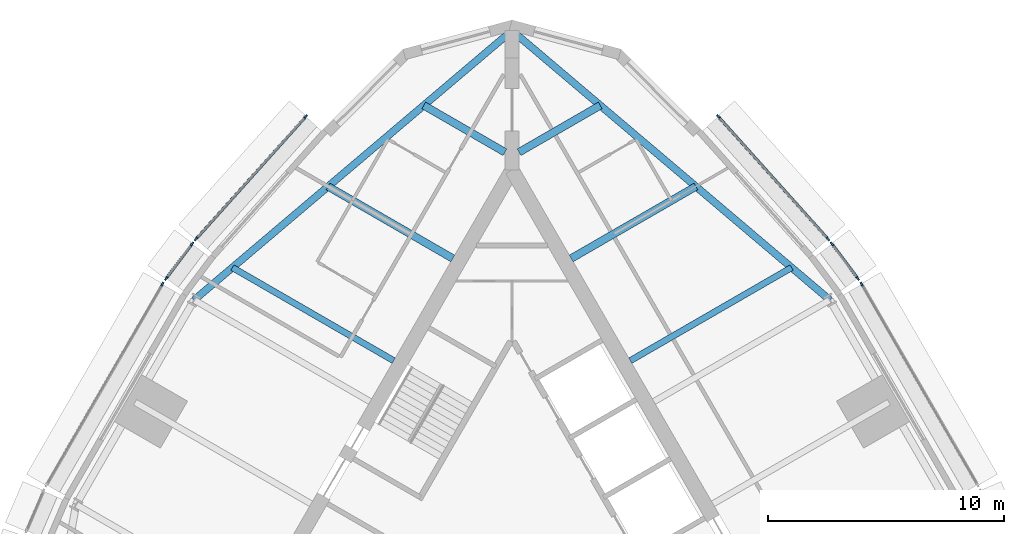
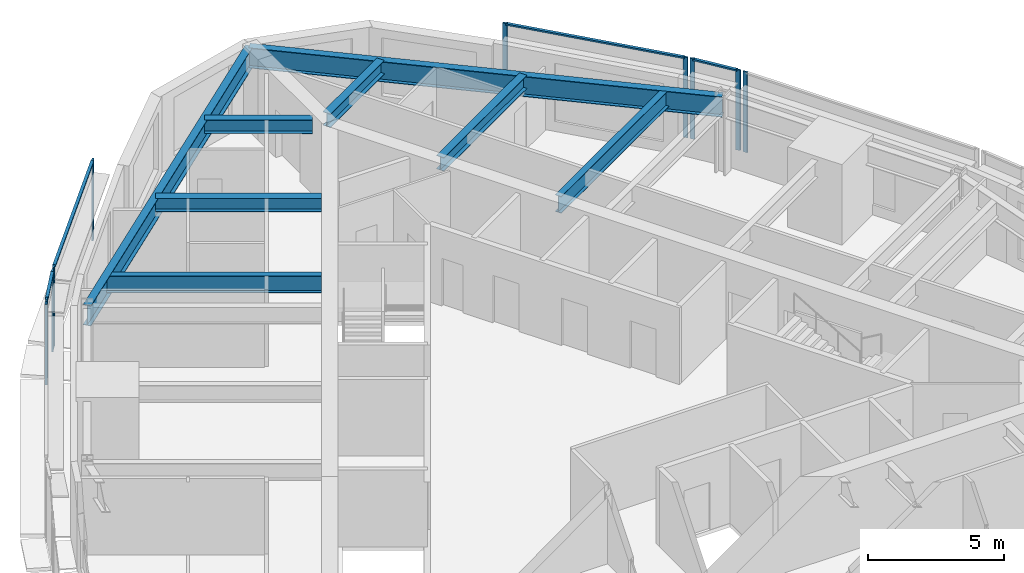
# One storey, part 5 of 12: 14 members, 8 beams, 6 elements without a shape of their own.
"""IFC4 building model written with IfcOpenShell, lengths in metres."""

from ifc_helpers import new_model, si_unit, direction, frame, origin, origin_2d, place, context, subcontext, project, spatial, rectangle, i_section, extrude, material, material_profile, profile_set, type_object, element, aggregate, save


model = new_model("IFC4")

# Units and contexts
model_context = context("Model", 3, precision=1e-05, world=origin(), true_north=direction((0.0, 1.0)))
body_context = subcontext(model_context, "Body", "Model", "MODEL_VIEW")
ifc_project = project(units=[si_unit("LENGTHUNIT", "METRE"), si_unit("AREAUNIT", "SQUARE_METRE"), si_unit("VOLUMEUNIT", "CUBIC_METRE"), si_unit("PLANEANGLEUNIT", "RADIAN"), si_unit("MASSUNIT", "GRAM", prefix="KILO")], contexts=[model_context])

# Site, building, storey
site_placement = place(None, origin())
site = spatial("IfcSite", under=ifc_project, at=site_placement, CompositionType="ELEMENT")
building_placement = place(site_placement, origin())
building = spatial("IfcBuilding", under=site, at=building_placement, Name="Trikona Tower", CompositionType="ELEMENT")
storey_placement = place(building_placement, frame((0.0, 0.0, 268.10009765625)))
storey = spatial("IfcBuildingStorey", under=building, at=storey_placement, Name="L71", CompositionType="ELEMENT", Elevation=268.10009765625)

# Curtain wall, member
ifc_material_1 = material(Name="Aluminium curtain wall system", Category="aluminium")
curtain_wall_type = type_object("IfcCurtainWallType", Name="Curtain wall DS3", PredefinedType="NOTDEFINED", material=ifc_material_1)
curtain_wall_1_placement = place(storey_placement, origin())
curtain_wall_1 = element("IfcCurtainWall", 1, at=curtain_wall_1_placement, inside=storey, type_object=curtain_wall_type, Name="Curtain wall DS3 L71", PredefinedType="NOTDEFINED")
ifc_material_2 = material(Name="Aluminium mullion, pale anodised", Category="aluminium")
ifc_material_profile_1 = material_profile(ifc_material_2, rectangle(XDim=0.070068359375, YDim=0.179931640625, at=origin_2d()), Name="MUL-DS3")
ifc_profile_set_1 = profile_set([ifc_material_profile_1], Name="Aluminium mullion, pale anodised")
member_type_1 = type_object("IfcMemberType", Name="Mullion DS3 70x180", PredefinedType="MULLION", material=ifc_profile_set_1)
member_1_placement = place(storey_placement, frame((14.807861328125, 14.213134765625, 0.0), z_axis=(0.0, 0.0, 1.0), x_axis=(-0.866024619633, -0.500001358187, 0.0)))
member_1 = element("IfcMember", 2, at=member_1_placement, type_object=member_type_1, Name="CW-DS3 mullion 2", PredefinedType="MULLION", context=body_context, shape_type="SweptSolid", body=[
    extrude(rectangle(XDim=0.070068359375, YDim=0.179931640625, at=origin_2d()), origin(), (0.0, 0.0, 1.0), 3.599853515625),
])
aggregate(curtain_wall_1, [member_1])

# Curtain wall, members
curtain_wall_2_placement = place(storey_placement, origin())
curtain_wall_2 = element("IfcCurtainWall", 3, at=curtain_wall_2_placement, inside=storey, type_object=curtain_wall_type, Name="Curtain wall DS3 L71", PredefinedType="NOTDEFINED")
member_2_placement = place(storey_placement, frame((14.644287109375, 14.461181640625, 0.0), z_axis=(0.0, 0.0, 1.0), x_axis=(-0.800259657055, -0.599653634435, 0.0)))
member_2 = element("IfcMember", 4, at=member_2_placement, type_object=member_type_1, Name="CW-DS3 mullion 1", PredefinedType="MULLION", context=body_context, shape_type="SweptSolid", body=[
    extrude(rectangle(XDim=0.070068359375, YDim=0.179931640625, at=origin_2d()), origin(), (0.0, 0.0, 1.0), 3.599853515625),
])
member_3_placement = place(storey_placement, frame((13.55029296875, 15.9208984375, 0.0), z_axis=(0.0, 0.0, 1.0), x_axis=(-0.800259657055, -0.599653634435, 0.0)))
member_3 = element("IfcMember", 5, at=member_3_placement, type_object=member_type_1, Name="CW-DS3 mullion 2", PredefinedType="MULLION", context=body_context, shape_type="SweptSolid", body=[
    extrude(rectangle(XDim=0.070068359375, YDim=0.179931640625, at=origin_2d()), origin(), (0.0, 0.0, 1.0), 3.599853515625),
])

curtain_wall_3_placement = place(storey_placement, origin())
curtain_wall_3 = element("IfcCurtainWall", 6, at=curtain_wall_3_placement, inside=storey, type_object=curtain_wall_type, Name="Curtain wall DS3 L71", PredefinedType="NOTDEFINED")
member_4_placement = place(storey_placement, frame((13.380126953125, 16.128662109375, 0.0), z_axis=(0.0, 0.0, 1.0), x_axis=(-0.744771436797, -0.667319643748, 0.0)))
member_4 = element("IfcMember", 7, at=member_4_placement, type_object=member_type_1, Name="CW-DS3 mullion 1", PredefinedType="MULLION", context=body_context, shape_type="SweptSolid", body=[
    extrude(rectangle(XDim=0.070068359375, YDim=0.179931640625, at=origin_2d()), origin(), (0.0, 0.0, 1.0), 3.599853515625),
])
member_5_placement = place(storey_placement, frame((8.733642578125, 21.314453125, 0.0), z_axis=(0.0, 0.0, 1.0), x_axis=(-0.744771436797, -0.667319643748, 0.0)))
member_5 = element("IfcMember", 8, at=member_5_placement, type_object=member_type_1, Name="CW-DS3 mullion 2", PredefinedType="MULLION", context=body_context, shape_type="SweptSolid", body=[
    extrude(rectangle(XDim=0.070068359375, YDim=0.179931640625, at=origin_2d()), origin(), (0.0, 0.0, 1.0), 3.599853515625),
])

curtain_wall_4_placement = place(storey_placement, origin())
curtain_wall_4 = element("IfcCurtainWall", 9, at=curtain_wall_4_placement, inside=storey, type_object=curtain_wall_type, Name="Curtain wall DS3 L71", PredefinedType="NOTDEFINED")
member_6_placement = place(storey_placement, frame((-8.733642578125, 21.314453125, 0.0), z_axis=(0.0, 0.0, 1.0), x_axis=(0.744771436797, -0.667319643748, 0.0)))
member_6 = element("IfcMember", 10, at=member_6_placement, type_object=member_type_1, Name="CW-DS3 mullion 1", PredefinedType="MULLION", context=body_context, shape_type="SweptSolid", body=[
    extrude(rectangle(XDim=0.070068359375, YDim=0.179931640625, at=origin_2d()), origin(), (0.0, 0.0, 1.0), 3.599853515625),
])
member_7_placement = place(storey_placement, frame((-13.380126953125, 16.128662109375, 0.0), z_axis=(0.0, 0.0, 1.0), x_axis=(0.744771436797, -0.667319643748, 0.0)))
member_7 = element("IfcMember", 11, at=member_7_placement, type_object=member_type_1, Name="CW-DS3 mullion 2", PredefinedType="MULLION", context=body_context, shape_type="SweptSolid", body=[
    extrude(rectangle(XDim=0.070068359375, YDim=0.179931640625, at=origin_2d()), origin(), (0.0, 0.0, 1.0), 3.599853515625),
])

curtain_wall_5_placement = place(storey_placement, origin())
curtain_wall_5 = element("IfcCurtainWall", 12, at=curtain_wall_5_placement, inside=storey, type_object=curtain_wall_type, Name="Curtain wall DS3 L71", PredefinedType="NOTDEFINED")
member_8_placement = place(storey_placement, frame((-13.55029296875, 15.9208984375, 0.0), z_axis=(0.0, 0.0, 1.0), x_axis=(0.800259657055, -0.599653634435, 0.0)))
member_8 = element("IfcMember", 13, at=member_8_placement, type_object=member_type_1, Name="CW-DS3 mullion 1", PredefinedType="MULLION", context=body_context, shape_type="SweptSolid", body=[
    extrude(rectangle(XDim=0.070068359375, YDim=0.179931640625, at=origin_2d()), origin(), (0.0, 0.0, 1.0), 3.599853515625),
])
member_9_placement = place(storey_placement, frame((-14.644287109375, 14.461181640625, 0.0), z_axis=(0.0, 0.0, 1.0), x_axis=(0.800259657055, -0.599653634435, 0.0)))
member_9 = element("IfcMember", 14, at=member_9_placement, type_object=member_type_1, Name="CW-DS3 mullion 2", PredefinedType="MULLION", context=body_context, shape_type="SweptSolid", body=[
    extrude(rectangle(XDim=0.070068359375, YDim=0.179931640625, at=origin_2d()), origin(), (0.0, 0.0, 1.0), 3.599853515625),
])

# Curtain wall, member
curtain_wall_6_placement = place(storey_placement, origin())
curtain_wall_6 = element("IfcCurtainWall", 15, at=curtain_wall_6_placement, inside=storey, type_object=curtain_wall_type, Name="Curtain wall DS3 L71", PredefinedType="NOTDEFINED")
member_10_placement = place(storey_placement, frame((-14.807861328125, 14.213134765625, 0.0), z_axis=(0.0, 0.0, 1.0), x_axis=(0.866024619633, -0.500001358187, 0.0)))
member_10 = element("IfcMember", 16, at=member_10_placement, type_object=member_type_1, Name="CW-DS3 mullion 1", PredefinedType="MULLION", context=body_context, shape_type="SweptSolid", body=[
    extrude(rectangle(XDim=0.070068359375, YDim=0.179931640625, at=origin_2d()), origin(), (0.0, 0.0, 1.0), 3.599853515625),
])
aggregate(curtain_wall_6, [member_10])

# Beams
ifc_material_3 = material(Name="Steel ASTM A992 Grade 50", Category="steel")
ifc_material_profile_2 = material_profile(ifc_material_3, i_section(OverallWidth=0.3251953125, OverallDepth=0.612060546875, WebThickness=0.0126953125, FlangeThickness=0.01904296875, at=origin_2d()), Name="W24X104")
ifc_profile_set_2 = profile_set([ifc_material_profile_2], Name="Steel ASTM A992 Grade 50")
beam_type_1 = type_object("IfcBeamType", Name="Steel beam W24x104 (wedge upper)", PredefinedType="BEAM", material=ifc_profile_set_2)
beam_1_placement = place(storey_placement, frame((2.509765625, 15.305419921875, 3.12890625), z_axis=(0.866023498866, 0.500003299401, 0.0), x_axis=(-0.500003299401, 0.866023498866, 0.0)))
element("IfcBeam", 17, at=beam_1_placement, inside=storey, type_object=beam_type_1, Name="Floor beam L72 F2 u12", PredefinedType="BEAM", context=body_context, shape_type="SweptSolid", body=[
    extrude(i_section(OverallWidth=0.3251953125, OverallDepth=0.612060546875, WebThickness=0.0126953125, FlangeThickness=0.01904296875, at=origin_2d()), origin(), (0.0, 0.0, 1.0), 6.09521484375),
])
for number, where, z_axis, x_axis, name in (
    (18, (0.300048828125, 19.802978515625, 3.12890625), (0.866004223388, 0.500036683728, 0.0), (-0.500036683728, 0.866004223388, 0.0), "Floor beam L72 F2 u17"),
    (19, (-0.300048828125, 19.802978515625, 3.12890625), (-0.866004223388, 0.500036683728, 0.0), (-0.500036683728, -0.866004223388, 0.0), "Floor beam L72 F3 u-17"),
):
    element("IfcBeam", number, at=place(storey_placement, frame(where, z_axis=z_axis, x_axis=x_axis)), inside=storey, type_object=beam_type_1, Name=name, PredefinedType="BEAM", context=body_context, shape_type="SweptSolid", body=[
        extrude(i_section(OverallWidth=0.3251953125, OverallDepth=0.612060546875, WebThickness=0.0126953125, FlangeThickness=0.01904296875, at=origin_2d()), origin(), (0.0, 0.0, 1.0), 3.968017578125),
    ])
beam_2_placement = place(storey_placement, frame((-2.509765625, 15.305419921875, 3.12890625), z_axis=(-0.866023498866, 0.500003299401, 0.0), x_axis=(-0.500003299401, -0.866023498866, 0.0)))
element("IfcBeam", 20, at=beam_2_placement, inside=storey, type_object=beam_type_1, Name="Floor beam L72 F3 u-12", PredefinedType="BEAM", context=body_context, shape_type="SweptSolid", body=[
    extrude(i_section(OverallWidth=0.3251953125, OverallDepth=0.612060546875, WebThickness=0.0126953125, FlangeThickness=0.01904296875, at=origin_2d()), origin(), (0.0, 0.0, 1.0), 6.09521484375),
])
ifc_material_4 = material(Name="Steel ASTM A992 Grade 50", Category="steel")
ifc_material_profile_3 = material_profile(ifc_material_4, i_section(OverallWidth=0.2666015625, OverallDepth=0.7568359375, WebThickness=0.013916015625, FlangeThickness=0.019287109375, at=origin_2d()), Name="W30X108")
ifc_profile_set_3 = profile_set([ifc_material_profile_3], Name="Steel ASTM A992 Grade 50")
beam_type_2 = type_object("IfcBeamType", Name="Steel beam W30x108 (radial upper)", PredefinedType="BEAM", material=ifc_profile_set_3)
for number, where, z_axis, x_axis, name in (
    (21, (5.009765625, 10.975341796875, 3.056396484375), (0.866034560358, 0.499984140014, 0.0), (-0.499984140014, 0.866034560358, 0.0), "Floor beam L72 F2 u7"),
    (22, (-5.009765625, 10.975341796875, 3.056396484375), (-0.866034560358, 0.499984140014, 0.0), (-0.499984140014, -0.866034560358, 0.0), "Floor beam L72 F3 u-7"),
):
    element("IfcBeam", number, at=place(storey_placement, frame(where, z_axis=z_axis, x_axis=x_axis)), inside=storey, type_object=beam_type_2, Name=name, PredefinedType="BEAM", context=body_context, shape_type="SweptSolid", body=[
        extrude(i_section(OverallWidth=0.2666015625, OverallDepth=0.7568359375, WebThickness=0.013916015625, FlangeThickness=0.019287109375, at=origin_2d()), origin(), (0.0, 0.0, 1.0), 7.887451171875),
    ])
ifc_material_5 = material(Name="Steel ASTM A992 Grade 50", Category="steel")
ifc_material_profile_4 = material_profile(ifc_material_5, i_section(OverallWidth=0.3046875, OverallDepth=0.911865234375, WebThickness=0.015869140625, FlangeThickness=0.02392578125, at=origin_2d()), Name="W36X150")
ifc_profile_set_4 = profile_set([ifc_material_profile_4], Name="Steel ASTM A992 Grade 50")
beam_type_3 = type_object("IfcBeamType", Name="Steel beam W36x150 (spandrel upper)", PredefinedType="SPANDREL", material=ifc_profile_set_4)
for number, where, z_axis, x_axis, name in (
    (23, (13.461181640625, 13.54541015625, 2.97900390625), (-0.762890626803, 0.646527564405, 0.0), (-0.646527564405, -0.762890626803, 0.0), "Spandrel beam L72 F2-3"),
    (24, (0.0, 24.953369140625, 2.97900390625), (-0.762890626803, -0.646527564405, 0.0), (0.646527564405, -0.762890626803, 0.0), "Spandrel beam L72 F3-1"),
):
    element("IfcBeam", number, at=place(storey_placement, frame(where, z_axis=z_axis, x_axis=x_axis)), inside=storey, type_object=beam_type_3, Name=name, PredefinedType="SPANDREL", context=body_context, shape_type="SweptSolid", body=[
        extrude(i_section(OverallWidth=0.3046875, OverallDepth=0.911865234375, WebThickness=0.015869140625, FlangeThickness=0.02392578125, at=origin_2d()), origin(), (0.0, 0.0, 1.0), 17.64501953125),
    ])

# Member
ifc_material_6 = material(Name="Aluminium transom, pale anodised", Category="aluminium")
ifc_material_profile_5 = material_profile(ifc_material_6, rectangle(XDim=0.1201171875, YDim=0.070068359375, at=origin_2d()), Name="TRN-DS3")
ifc_profile_set_5 = profile_set([ifc_material_profile_5], Name="Aluminium transom, pale anodised")
member_type_2 = type_object("IfcMemberType", Name="Transom DS3 70x120", PredefinedType="USERDEFINED", material=ifc_profile_set_5)
member_11_placement = place(storey_placement, frame((14.623291015625, 14.489013671875, 3.56494140625), z_axis=(-0.599621429645, 0.80028378786, 0.0), x_axis=(-0.80028378786, -0.599621429645, 0.0)))
member_11 = element("IfcMember", 25, at=member_11_placement, type_object=member_type_2, Name="CW-DS3 transom 1.1", ObjectType="TRANSOM", PredefinedType="USERDEFINED", context=body_context, shape_type="SweptSolid", body=[
    extrude(rectangle(XDim=0.1201171875, YDim=0.070068359375, at=origin_2d()), origin(), (0.0, 0.0, 1.0), 1.75439453125),
])

aggregate(curtain_wall_2, [member_2, member_3, member_11])

member_12_placement = place(storey_placement, frame((13.356689453125, 16.15478515625, 3.56494140625), z_axis=(-0.667313410703, 0.744777021595, 0.0), x_axis=(-0.744777021595, -0.667313410703, 0.0)))
member_12 = element("IfcMember", 26, at=member_12_placement, type_object=member_type_2, Name="CW-DS3 transom 1.1", ObjectType="TRANSOM", PredefinedType="USERDEFINED", context=body_context, shape_type="SweptSolid", body=[
    extrude(rectangle(XDim=0.1201171875, YDim=0.070068359375, at=origin_2d()), origin(), (0.0, 0.0, 1.0), 6.892822265625),
])

aggregate(curtain_wall_3, [member_4, member_5, member_12])

member_13_placement = place(storey_placement, frame((-8.757080078125, 21.288330078125, 3.56494140625), z_axis=(-0.667313410703, -0.744777021595, 0.0), x_axis=(0.744777021595, -0.667313410703, 0.0)))
member_13 = element("IfcMember", 27, at=member_13_placement, type_object=member_type_2, Name="CW-DS3 transom 1.1", ObjectType="TRANSOM", PredefinedType="USERDEFINED", context=body_context, shape_type="SweptSolid", body=[
    extrude(rectangle(XDim=0.1201171875, YDim=0.070068359375, at=origin_2d()), origin(), (0.0, 0.0, 1.0), 6.892822265625),
])

aggregate(curtain_wall_4, [member_6, member_7, member_13])

member_14_placement = place(storey_placement, frame((-13.5712890625, 15.89306640625, 3.56494140625), z_axis=(-0.599621429645, -0.80028378786, 0.0), x_axis=(0.80028378786, -0.599621429645, 0.0)))
member_14 = element("IfcMember", 28, at=member_14_placement, type_object=member_type_2, Name="CW-DS3 transom 1.1", ObjectType="TRANSOM", PredefinedType="USERDEFINED", context=body_context, shape_type="SweptSolid", body=[
    extrude(rectangle(XDim=0.1201171875, YDim=0.070068359375, at=origin_2d()), origin(), (0.0, 0.0, 1.0), 1.75439453125),
])

aggregate(curtain_wall_5, [member_8, member_9, member_14])

save(model, "model.ifc")
